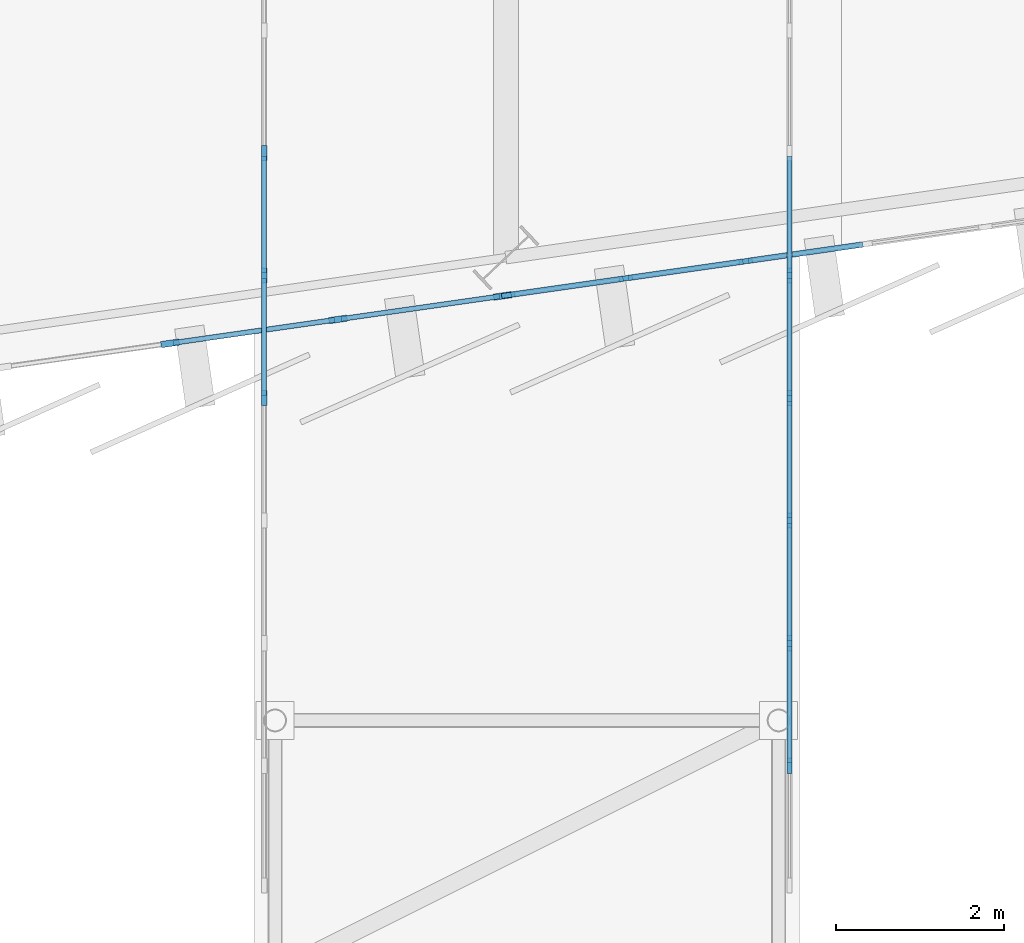
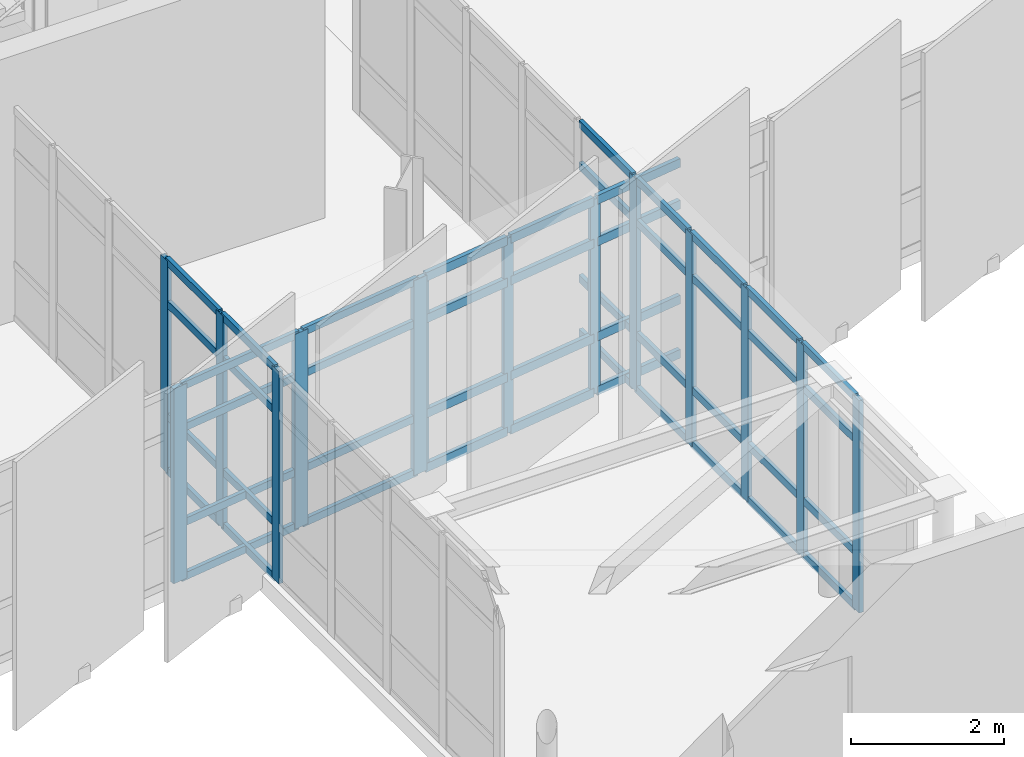
# One storey, part 41 of 125: 62 members, 4 elements without a shape of their own.
"""IFC4 building model written with IfcOpenShell, lengths in metres."""

from ifc_helpers import new_model, si_unit, direction, frame, origin, origin_2d, place, context, subcontext, project, spatial, rectangle, extrude, material, layer, layer_set, material_profile, profile_set, type_object, element, aggregate, save


model = new_model("IFC4")

# Units and contexts
model_context = context("Model", 3, precision=1e-05, world=origin(), true_north=direction((0.0, 1.0)))
body_context = subcontext(model_context, "Body", "Model", "MODEL_VIEW")
ifc_project = project(units=[si_unit("LENGTHUNIT", "METRE"), si_unit("AREAUNIT", "SQUARE_METRE"), si_unit("VOLUMEUNIT", "CUBIC_METRE"), si_unit("PLANEANGLEUNIT", "RADIAN"), si_unit("MASSUNIT", "GRAM", prefix="KILO")], contexts=[model_context])

# Site, building, storey
site_placement = place(None, origin())
site = spatial("IfcSite", under=ifc_project, at=site_placement, CompositionType="ELEMENT")
building_placement = place(site_placement, origin())
building = spatial("IfcBuilding", under=site, at=building_placement, Name="Sohan Crest Arena", CompositionType="ELEMENT")
storey_placement = place(building_placement, frame((0.0, 0.0, 9.0)))
storey = spatial("IfcBuildingStorey", under=building, at=storey_placement, Name="L02", CompositionType="ELEMENT", Elevation=9.0)

# Curtain wall, members
ifc_material = material(Name="Thermally broken anodised aluminium", Category="aluminium")
ifc_layer_1 = layer(ifc_material, 0.18994140625, Name="Thermally broken anodised aluminium")
ifc_layer_set_1 = layer_set([ifc_layer_1], Name="Thermally broken anodised aluminium")
curtain_wall_type_1 = type_object("IfcCurtainWallType", Name="ARC-CW05", PredefinedType="NOTDEFINED", material=ifc_layer_set_1)
curtain_wall_1_placement = place(storey_placement, origin())
curtain_wall_1 = element("IfcCurtainWall", 1, at=curtain_wall_1_placement, inside=storey, type_object=curtain_wall_type_1, Name="Unitised curtain wall CW-064", PredefinedType="NOTDEFINED")
ifc_material_profile_1 = material_profile(ifc_material, rectangle(XDim=0.06005859375, YDim=0.159912109375, at=origin_2d()), Name="ALU-MULL 60x160")
ifc_profile_set_1 = profile_set([ifc_material_profile_1], Name="Thermally broken anodised aluminium")
member_type_1 = type_object("IfcMemberType", Name="ARC-CW-ML01", PredefinedType="MULLION", material=ifc_profile_set_1)
member_1_placement = place(storey_placement, frame((138.02978515625, 35.268310546875, 0.0), z_axis=(0.0, 0.0, 1.0), x_axis=(-0.141462933734, 0.989943553128, 0.0)))
member_1 = element("IfcMember", 2, at=member_1_placement, type_object=member_type_1, Name="CW-064 mullion 1", PredefinedType="MULLION", context=body_context, shape_type="SweptSolid", body=[
    extrude(rectangle(XDim=0.06005859375, YDim=0.159912109375, at=origin_2d()), origin(), (0.0, 0.0, 1.0), 3.1201171875),
])
member_2_placement = place(storey_placement, frame((139.428466796875, 35.46826171875, 0.0), z_axis=(0.0, 0.0, 1.0), x_axis=(-0.141462933734, 0.989943553128, 0.0)))
member_2 = element("IfcMember", 3, at=member_2_placement, type_object=member_type_1, Name="CW-064 mullion 2", PredefinedType="MULLION", context=body_context, shape_type="SweptSolid", body=[
    extrude(rectangle(XDim=0.06005859375, YDim=0.159912109375, at=origin_2d()), origin(), (0.0, 0.0, 1.0), 3.1201171875),
])
member_3_placement = place(storey_placement, frame((140.857177734375, 35.67236328125, 0.0), z_axis=(0.0, 0.0, 1.0), x_axis=(-0.141462933734, 0.989943553128, 0.0)))
member_3 = element("IfcMember", 4, at=member_3_placement, type_object=member_type_1, Name="CW-064 mullion 3", PredefinedType="MULLION", context=body_context, shape_type="SweptSolid", body=[
    extrude(rectangle(XDim=0.06005859375, YDim=0.159912109375, at=origin_2d()), origin(), (0.0, 0.0, 1.0), 3.1201171875),
])

curtain_wall_2_placement = place(storey_placement, origin())
curtain_wall_2 = element("IfcCurtainWall", 5, at=curtain_wall_2_placement, inside=storey, type_object=curtain_wall_type_1, Name="Unitised curtain wall CW-257", PredefinedType="NOTDEFINED")
ifc_material_profile_2 = material_profile(ifc_material, rectangle(XDim=0.06494140625, YDim=0.179931640625, at=origin_2d()), Name="ALU-MULL 65x180")
ifc_profile_set_2 = profile_set([ifc_material_profile_2], Name="Thermally broken anodised aluminium")
member_type_2 = type_object("IfcMemberType", Name="ARC-CW-ML02", PredefinedType="MULLION", material=ifc_profile_set_2)
member_4_placement = place(storey_placement, frame((135.1201171875, 34.0400390625, 0.0), z_axis=(0.0, 0.0, 1.0), x_axis=(-1.0, 0.0, 0.0)))
member_4 = element("IfcMember", 6, at=member_4_placement, type_object=member_type_2, Name="CW-257 mullion 5", PredefinedType="MULLION", context=body_context, shape_type="SweptSolid", body=[
    extrude(rectangle(XDim=0.06494140625, YDim=0.179931640625, at=origin_2d()), origin(), (0.0, 0.0, 1.0), 3.39990234375),
])
member_5_placement = place(storey_placement, frame((135.1201171875, 35.5, 0.0), z_axis=(0.0, 0.0, 1.0), x_axis=(-1.0, 0.0, 0.0)))
member_5 = element("IfcMember", 7, at=member_5_placement, type_object=member_type_2, Name="CW-257 mullion 6", PredefinedType="MULLION", context=body_context, shape_type="SweptSolid", body=[
    extrude(rectangle(XDim=0.06494140625, YDim=0.179931640625, at=origin_2d()), origin(), (0.0, 0.0, 1.0), 3.39990234375),
])
member_6_placement = place(storey_placement, frame((135.1201171875, 36.9599609375, 0.0), z_axis=(0.0, 0.0, 1.0), x_axis=(-1.0, 0.0, 0.0)))
member_6 = element("IfcMember", 8, at=member_6_placement, type_object=member_type_2, Name="CW-257 mullion 7", PredefinedType="MULLION", context=body_context, shape_type="SweptSolid", body=[
    extrude(rectangle(XDim=0.06494140625, YDim=0.179931640625, at=origin_2d()), origin(), (0.0, 0.0, 1.0), 3.39990234375),
])

curtain_wall_3_placement = place(storey_placement, origin())
curtain_wall_3 = element("IfcCurtainWall", 9, at=curtain_wall_3_placement, inside=storey, type_object=curtain_wall_type_1, Name="Unitised curtain wall CW-258", PredefinedType="NOTDEFINED")
member_7_placement = place(storey_placement, frame((141.3798828125, 29.659912109375, 0.0), z_axis=(0.0, 0.0, 1.0), x_axis=(-1.0, 0.0, 0.0)))
member_7 = element("IfcMember", 10, at=member_7_placement, type_object=member_type_2, Name="CW-258 mullion 2", PredefinedType="MULLION", context=body_context, shape_type="SweptSolid", body=[
    extrude(rectangle(XDim=0.06494140625, YDim=0.179931640625, at=origin_2d()), origin(), (0.0, 0.0, 1.0), 3.39990234375),
])
member_8_placement = place(storey_placement, frame((141.3798828125, 31.1201171875, 0.0), z_axis=(0.0, 0.0, 1.0), x_axis=(-1.0, 0.0, 0.0)))
member_8 = element("IfcMember", 11, at=member_8_placement, type_object=member_type_2, Name="CW-258 mullion 3", PredefinedType="MULLION", context=body_context, shape_type="SweptSolid", body=[
    extrude(rectangle(XDim=0.06494140625, YDim=0.179931640625, at=origin_2d()), origin(), (0.0, 0.0, 1.0), 3.39990234375),
])
member_9_placement = place(storey_placement, frame((141.3798828125, 32.580078125, 0.0), z_axis=(0.0, 0.0, 1.0), x_axis=(-1.0, 0.0, 0.0)))
member_9 = element("IfcMember", 12, at=member_9_placement, type_object=member_type_2, Name="CW-258 mullion 4", PredefinedType="MULLION", context=body_context, shape_type="SweptSolid", body=[
    extrude(rectangle(XDim=0.06494140625, YDim=0.179931640625, at=origin_2d()), origin(), (0.0, 0.0, 1.0), 3.39990234375),
])
member_10_placement = place(storey_placement, frame((141.3798828125, 34.0400390625, 0.0), z_axis=(0.0, 0.0, 1.0), x_axis=(-1.0, 0.0, 0.0)))
member_10 = element("IfcMember", 13, at=member_10_placement, type_object=member_type_2, Name="CW-258 mullion 5", PredefinedType="MULLION", context=body_context, shape_type="SweptSolid", body=[
    extrude(rectangle(XDim=0.06494140625, YDim=0.179931640625, at=origin_2d()), origin(), (0.0, 0.0, 1.0), 3.39990234375),
])
member_11_placement = place(storey_placement, frame((141.3798828125, 35.5, 0.0), z_axis=(0.0, 0.0, 1.0), x_axis=(-1.0, 0.0, 0.0)))
member_11 = element("IfcMember", 14, at=member_11_placement, type_object=member_type_2, Name="CW-258 mullion 6", PredefinedType="MULLION", context=body_context, shape_type="SweptSolid", body=[
    extrude(rectangle(XDim=0.06494140625, YDim=0.179931640625, at=origin_2d()), origin(), (0.0, 0.0, 1.0), 3.39990234375),
])

ifc_layer_2 = layer(ifc_material, 0.239990234375, Name="Thermally broken anodised aluminium")
ifc_layer_set_2 = layer_set([ifc_layer_2], Name="Thermally broken anodised aluminium")
curtain_wall_type_2 = type_object("IfcCurtainWallType", Name="ARC-CW04", PredefinedType="NOTDEFINED", material=ifc_layer_set_2)
curtain_wall_4_placement = place(storey_placement, origin())
curtain_wall_4 = element("IfcCurtainWall", 15, at=curtain_wall_4_placement, inside=storey, type_object=curtain_wall_type_2, Name="Unitised curtain wall CW-063", PredefinedType="NOTDEFINED")
ifc_material_profile_3 = material_profile(ifc_material, rectangle(XDim=0.074951171875, YDim=0.219970703125, at=origin_2d()), Name="ALU-MULL 75x220")
ifc_profile_set_3 = profile_set([ifc_material_profile_3], Name="Thermally broken anodised aluminium")
member_type_3 = type_object("IfcMemberType", Name="ARC-CW-ML04", PredefinedType="MULLION", material=ifc_profile_set_3)
member_12_placement = place(storey_placement, frame((134.0, 34.69287109375, 0.0), z_axis=(0.0, 0.0, 1.0), x_axis=(-0.141365918403, 0.989957411768, 0.0)))
member_12 = element("IfcMember", 16, at=member_12_placement, type_object=member_type_3, Name="CW-063 mullion 4", PredefinedType="MULLION", context=body_context, shape_type="SweptSolid", body=[
    extrude(rectangle(XDim=0.074951171875, YDim=0.219970703125, at=origin_2d()), origin(), (0.0, 0.0, 1.0), 3.1201171875),
])
member_13_placement = place(storey_placement, frame((136.0, 34.978515625, 0.0), z_axis=(0.0, 0.0, 1.0), x_axis=(-0.141365918403, 0.989957411768, 0.0)))
member_13 = element("IfcMember", 17, at=member_13_placement, type_object=member_type_3, Name="CW-063 mullion 5", PredefinedType="MULLION", context=body_context, shape_type="SweptSolid", body=[
    extrude(rectangle(XDim=0.074951171875, YDim=0.219970703125, at=origin_2d()), origin(), (0.0, 0.0, 1.0), 3.1201171875),
])
member_14_placement = place(storey_placement, frame((137.962890625, 35.2587890625, 0.0), z_axis=(0.0, 0.0, 1.0), x_axis=(-0.141365918403, 0.989957411768, 0.0)))
member_14 = element("IfcMember", 18, at=member_14_placement, type_object=member_type_3, Name="CW-063 mullion 6", PredefinedType="MULLION", context=body_context, shape_type="SweptSolid", body=[
    extrude(rectangle(XDim=0.074951171875, YDim=0.219970703125, at=origin_2d()), origin(), (0.0, 0.0, 1.0), 3.1201171875),
])
ifc_material_profile_4 = material_profile(ifc_material, rectangle(XDim=0.06005859375, YDim=0.1201171875, at=origin_2d()), Name="ALU-TRAN 60x120")
ifc_profile_set_4 = profile_set([ifc_material_profile_4], Name="Thermally broken anodised aluminium")
member_type_4 = type_object("IfcMemberType", Name="ARC-CW-TR01", PredefinedType="USERDEFINED", material=ifc_profile_set_4)
member_15_placement = place(storey_placement, frame((134.037109375, 34.697998046875, 0.030029296875), z_axis=(0.989946983498, 0.141438926268, 0.0), x_axis=(-0.141438926268, 0.989946983498, 0.0)))
member_15 = element("IfcMember", 19, at=member_15_placement, type_object=member_type_4, Name="CW-063 transom 4.1", ObjectType="TRANSOM", PredefinedType="USERDEFINED", context=body_context, shape_type="SweptSolid", body=[
    extrude(rectangle(XDim=0.06005859375, YDim=0.1201171875, at=origin_2d()), origin(), (0.0, 0.0, 1.0), 1.9453125),
])
member_16_placement = place(storey_placement, frame((134.037109375, 34.697998046875, 0.89990234375), z_axis=(0.989946983498, 0.141438926268, 0.0), x_axis=(-0.141438926268, 0.989946983498, 0.0)))
member_16 = element("IfcMember", 20, at=member_16_placement, type_object=member_type_4, Name="CW-063 transom 4.2", ObjectType="TRANSOM", PredefinedType="USERDEFINED", context=body_context, shape_type="SweptSolid", body=[
    extrude(rectangle(XDim=0.06005859375, YDim=0.1201171875, at=origin_2d()), origin(), (0.0, 0.0, 1.0), 1.9453125),
])
member_17_placement = place(storey_placement, frame((134.037109375, 34.697998046875, 2.419921875), z_axis=(0.989946983498, 0.141438926268, 0.0), x_axis=(-0.141438926268, 0.989946983498, 0.0)))
member_17 = element("IfcMember", 21, at=member_17_placement, type_object=member_type_4, Name="CW-063 transom 4.3", ObjectType="TRANSOM", PredefinedType="USERDEFINED", context=body_context, shape_type="SweptSolid", body=[
    extrude(rectangle(XDim=0.06005859375, YDim=0.1201171875, at=origin_2d()), origin(), (0.0, 0.0, 1.0), 1.9453125),
])
member_18_placement = place(storey_placement, frame((134.037109375, 34.697998046875, 3.090087890625), z_axis=(0.989946983498, 0.141438926268, 0.0), x_axis=(-0.141438926268, 0.989946983498, 0.0)))
member_18 = element("IfcMember", 22, at=member_18_placement, type_object=member_type_4, Name="CW-063 transom 4.4", ObjectType="TRANSOM", PredefinedType="USERDEFINED", context=body_context, shape_type="SweptSolid", body=[
    extrude(rectangle(XDim=0.06005859375, YDim=0.1201171875, at=origin_2d()), origin(), (0.0, 0.0, 1.0), 1.9453125),
])
member_19_placement = place(storey_placement, frame((136.037109375, 34.983642578125, 0.030029296875), z_axis=(0.989952052837, 0.141403440846, 0.0), x_axis=(-0.141403440846, 0.989952052837, 0.0)))
member_19 = element("IfcMember", 23, at=member_19_placement, type_object=member_type_4, Name="CW-063 transom 5.1", ObjectType="TRANSOM", PredefinedType="USERDEFINED", context=body_context, shape_type="SweptSolid", body=[
    extrude(rectangle(XDim=0.06005859375, YDim=0.1201171875, at=origin_2d()), origin(), (0.0, 0.0, 1.0), 1.907958984375),
])
member_20_placement = place(storey_placement, frame((136.037109375, 34.983642578125, 0.89990234375), z_axis=(0.989952052837, 0.141403440846, 0.0), x_axis=(-0.141403440846, 0.989952052837, 0.0)))
member_20 = element("IfcMember", 24, at=member_20_placement, type_object=member_type_4, Name="CW-063 transom 5.2", ObjectType="TRANSOM", PredefinedType="USERDEFINED", context=body_context, shape_type="SweptSolid", body=[
    extrude(rectangle(XDim=0.06005859375, YDim=0.1201171875, at=origin_2d()), origin(), (0.0, 0.0, 1.0), 1.907958984375),
])
member_21_placement = place(storey_placement, frame((136.037109375, 34.983642578125, 2.419921875), z_axis=(0.989952052837, 0.141403440846, 0.0), x_axis=(-0.141403440846, 0.989952052837, 0.0)))
member_21 = element("IfcMember", 25, at=member_21_placement, type_object=member_type_4, Name="CW-063 transom 5.3", ObjectType="TRANSOM", PredefinedType="USERDEFINED", context=body_context, shape_type="SweptSolid", body=[
    extrude(rectangle(XDim=0.06005859375, YDim=0.1201171875, at=origin_2d()), origin(), (0.0, 0.0, 1.0), 1.907958984375),
])
member_22_placement = place(storey_placement, frame((136.037109375, 34.983642578125, 3.090087890625), z_axis=(0.989952052837, 0.141403440846, 0.0), x_axis=(-0.141403440846, 0.989952052837, 0.0)))
member_22 = element("IfcMember", 26, at=member_22_placement, type_object=member_type_4, Name="CW-063 transom 5.4", ObjectType="TRANSOM", PredefinedType="USERDEFINED", context=body_context, shape_type="SweptSolid", body=[
    extrude(rectangle(XDim=0.06005859375, YDim=0.1201171875, at=origin_2d()), origin(), (0.0, 0.0, 1.0), 1.907958984375),
])
aggregate(curtain_wall_4, [member_12, member_13, member_14, member_15, member_16, member_17, member_18, member_19, member_20, member_21, member_22])

# Member
member_23_placement = place(storey_placement, frame((135.1201171875, 34.072509765625, 0.030029296875), z_axis=(0.0, 1.0, 0.0), x_axis=(-1.0, 0.0, 0.0)))
member_23 = element("IfcMember", 27, at=member_23_placement, type_object=member_type_4, Name="CW-257 transom 5.1", ObjectType="TRANSOM", PredefinedType="USERDEFINED", context=body_context, shape_type="SweptSolid", body=[
    extrude(rectangle(XDim=0.06005859375, YDim=0.1201171875, at=origin_2d()), origin(), (0.0, 0.0, 1.0), 1.39501953125),
])

member_24_placement = place(storey_placement, frame((135.1201171875, 34.072509765625, 0.89990234375), z_axis=(0.0, 1.0, 0.0), x_axis=(-1.0, 0.0, 0.0)))
member_24 = element("IfcMember", 28, at=member_24_placement, type_object=member_type_4, Name="CW-257 transom 5.2", ObjectType="TRANSOM", PredefinedType="USERDEFINED", context=body_context, shape_type="SweptSolid", body=[
    extrude(rectangle(XDim=0.06005859375, YDim=0.1201171875, at=origin_2d()), origin(), (0.0, 0.0, 1.0), 1.39501953125),
])

member_25_placement = place(storey_placement, frame((135.1201171875, 34.072509765625, 2.699951171875), z_axis=(0.0, 1.0, 0.0), x_axis=(-1.0, 0.0, 0.0)))
member_25 = element("IfcMember", 29, at=member_25_placement, type_object=member_type_4, Name="CW-257 transom 5.3", ObjectType="TRANSOM", PredefinedType="USERDEFINED", context=body_context, shape_type="SweptSolid", body=[
    extrude(rectangle(XDim=0.06005859375, YDim=0.1201171875, at=origin_2d()), origin(), (0.0, 0.0, 1.0), 1.39501953125),
])

member_26_placement = place(storey_placement, frame((135.1201171875, 34.072509765625, 3.3701171875), z_axis=(0.0, 1.0, 0.0), x_axis=(-1.0, 0.0, 0.0)))
member_26 = element("IfcMember", 30, at=member_26_placement, type_object=member_type_4, Name="CW-257 transom 5.4", ObjectType="TRANSOM", PredefinedType="USERDEFINED", context=body_context, shape_type="SweptSolid", body=[
    extrude(rectangle(XDim=0.06005859375, YDim=0.1201171875, at=origin_2d()), origin(), (0.0, 0.0, 1.0), 1.39501953125),
])

member_27_placement = place(storey_placement, frame((135.1201171875, 35.532470703125, 0.030029296875), z_axis=(0.0, 1.0, 0.0), x_axis=(-1.0, 0.0, 0.0)))
member_27 = element("IfcMember", 31, at=member_27_placement, type_object=member_type_4, Name="CW-257 transom 6.1", ObjectType="TRANSOM", PredefinedType="USERDEFINED", context=body_context, shape_type="SweptSolid", body=[
    extrude(rectangle(XDim=0.06005859375, YDim=0.1201171875, at=origin_2d()), origin(), (0.0, 0.0, 1.0), 1.39501953125),
])

member_28_placement = place(storey_placement, frame((135.1201171875, 35.532470703125, 0.89990234375), z_axis=(0.0, 1.0, 0.0), x_axis=(-1.0, 0.0, 0.0)))
member_28 = element("IfcMember", 32, at=member_28_placement, type_object=member_type_4, Name="CW-257 transom 6.2", ObjectType="TRANSOM", PredefinedType="USERDEFINED", context=body_context, shape_type="SweptSolid", body=[
    extrude(rectangle(XDim=0.06005859375, YDim=0.1201171875, at=origin_2d()), origin(), (0.0, 0.0, 1.0), 1.39501953125),
])

member_29_placement = place(storey_placement, frame((135.1201171875, 35.532470703125, 2.699951171875), z_axis=(0.0, 1.0, 0.0), x_axis=(-1.0, 0.0, 0.0)))
member_29 = element("IfcMember", 33, at=member_29_placement, type_object=member_type_4, Name="CW-257 transom 6.3", ObjectType="TRANSOM", PredefinedType="USERDEFINED", context=body_context, shape_type="SweptSolid", body=[
    extrude(rectangle(XDim=0.06005859375, YDim=0.1201171875, at=origin_2d()), origin(), (0.0, 0.0, 1.0), 1.39501953125),
])

member_30_placement = place(storey_placement, frame((135.1201171875, 35.532470703125, 3.3701171875), z_axis=(0.0, 1.0, 0.0), x_axis=(-1.0, 0.0, 0.0)))
member_30 = element("IfcMember", 34, at=member_30_placement, type_object=member_type_4, Name="CW-257 transom 6.4", ObjectType="TRANSOM", PredefinedType="USERDEFINED", context=body_context, shape_type="SweptSolid", body=[
    extrude(rectangle(XDim=0.06005859375, YDim=0.1201171875, at=origin_2d()), origin(), (0.0, 0.0, 1.0), 1.39501953125),
])

aggregate(curtain_wall_2, [member_4, member_5, member_6, member_23, member_24, member_25, member_26, member_27, member_28, member_29, member_30])

member_31_placement = place(storey_placement, frame((141.3798828125, 29.6923828125, 0.030029296875), z_axis=(0.0, 1.0, 0.0), x_axis=(-1.0, 0.0, 0.0)))
member_31 = element("IfcMember", 35, at=member_31_placement, type_object=member_type_4, Name="CW-258 transom 2.1", ObjectType="TRANSOM", PredefinedType="USERDEFINED", context=body_context, shape_type="SweptSolid", body=[
    extrude(rectangle(XDim=0.06005859375, YDim=0.1201171875, at=origin_2d()), origin(), (0.0, 0.0, 1.0), 1.39501953125),
])

member_32_placement = place(storey_placement, frame((141.3798828125, 29.6923828125, 0.89990234375), z_axis=(0.0, 1.0, 0.0), x_axis=(-1.0, 0.0, 0.0)))
member_32 = element("IfcMember", 36, at=member_32_placement, type_object=member_type_4, Name="CW-258 transom 2.2", ObjectType="TRANSOM", PredefinedType="USERDEFINED", context=body_context, shape_type="SweptSolid", body=[
    extrude(rectangle(XDim=0.06005859375, YDim=0.1201171875, at=origin_2d()), origin(), (0.0, 0.0, 1.0), 1.39501953125),
])

member_33_placement = place(storey_placement, frame((141.3798828125, 29.6923828125, 2.699951171875), z_axis=(0.0, 1.0, 0.0), x_axis=(-1.0, 0.0, 0.0)))
member_33 = element("IfcMember", 37, at=member_33_placement, type_object=member_type_4, Name="CW-258 transom 2.3", ObjectType="TRANSOM", PredefinedType="USERDEFINED", context=body_context, shape_type="SweptSolid", body=[
    extrude(rectangle(XDim=0.06005859375, YDim=0.1201171875, at=origin_2d()), origin(), (0.0, 0.0, 1.0), 1.39501953125),
])

member_34_placement = place(storey_placement, frame((141.3798828125, 29.6923828125, 3.3701171875), z_axis=(0.0, 1.0, 0.0), x_axis=(-1.0, 0.0, 0.0)))
member_34 = element("IfcMember", 38, at=member_34_placement, type_object=member_type_4, Name="CW-258 transom 2.4", ObjectType="TRANSOM", PredefinedType="USERDEFINED", context=body_context, shape_type="SweptSolid", body=[
    extrude(rectangle(XDim=0.06005859375, YDim=0.1201171875, at=origin_2d()), origin(), (0.0, 0.0, 1.0), 1.39501953125),
])

member_35_placement = place(storey_placement, frame((141.3798828125, 31.152587890625, 0.030029296875), z_axis=(0.0, 1.0, 0.0), x_axis=(-1.0, 0.0, 0.0)))
member_35 = element("IfcMember", 39, at=member_35_placement, type_object=member_type_4, Name="CW-258 transom 3.1", ObjectType="TRANSOM", PredefinedType="USERDEFINED", context=body_context, shape_type="SweptSolid", body=[
    extrude(rectangle(XDim=0.06005859375, YDim=0.1201171875, at=origin_2d()), origin(), (0.0, 0.0, 1.0), 1.39501953125),
])

member_36_placement = place(storey_placement, frame((141.3798828125, 31.152587890625, 0.89990234375), z_axis=(0.0, 1.0, 0.0), x_axis=(-1.0, 0.0, 0.0)))
member_36 = element("IfcMember", 40, at=member_36_placement, type_object=member_type_4, Name="CW-258 transom 3.2", ObjectType="TRANSOM", PredefinedType="USERDEFINED", context=body_context, shape_type="SweptSolid", body=[
    extrude(rectangle(XDim=0.06005859375, YDim=0.1201171875, at=origin_2d()), origin(), (0.0, 0.0, 1.0), 1.39501953125),
])

member_37_placement = place(storey_placement, frame((141.3798828125, 31.152587890625, 2.699951171875), z_axis=(0.0, 1.0, 0.0), x_axis=(-1.0, 0.0, 0.0)))
member_37 = element("IfcMember", 41, at=member_37_placement, type_object=member_type_4, Name="CW-258 transom 3.3", ObjectType="TRANSOM", PredefinedType="USERDEFINED", context=body_context, shape_type="SweptSolid", body=[
    extrude(rectangle(XDim=0.06005859375, YDim=0.1201171875, at=origin_2d()), origin(), (0.0, 0.0, 1.0), 1.39501953125),
])

member_38_placement = place(storey_placement, frame((141.3798828125, 31.152587890625, 3.3701171875), z_axis=(0.0, 1.0, 0.0), x_axis=(-1.0, 0.0, 0.0)))
member_38 = element("IfcMember", 42, at=member_38_placement, type_object=member_type_4, Name="CW-258 transom 3.4", ObjectType="TRANSOM", PredefinedType="USERDEFINED", context=body_context, shape_type="SweptSolid", body=[
    extrude(rectangle(XDim=0.06005859375, YDim=0.1201171875, at=origin_2d()), origin(), (0.0, 0.0, 1.0), 1.39501953125),
])

member_39_placement = place(storey_placement, frame((141.3798828125, 32.612548828125, 0.030029296875), z_axis=(0.0, 1.0, 0.0), x_axis=(-1.0, 0.0, 0.0)))
member_39 = element("IfcMember", 43, at=member_39_placement, type_object=member_type_4, Name="CW-258 transom 4.1", ObjectType="TRANSOM", PredefinedType="USERDEFINED", context=body_context, shape_type="SweptSolid", body=[
    extrude(rectangle(XDim=0.06005859375, YDim=0.1201171875, at=origin_2d()), origin(), (0.0, 0.0, 1.0), 1.39501953125),
])

member_40_placement = place(storey_placement, frame((141.3798828125, 32.612548828125, 0.89990234375), z_axis=(0.0, 1.0, 0.0), x_axis=(-1.0, 0.0, 0.0)))
member_40 = element("IfcMember", 44, at=member_40_placement, type_object=member_type_4, Name="CW-258 transom 4.2", ObjectType="TRANSOM", PredefinedType="USERDEFINED", context=body_context, shape_type="SweptSolid", body=[
    extrude(rectangle(XDim=0.06005859375, YDim=0.1201171875, at=origin_2d()), origin(), (0.0, 0.0, 1.0), 1.39501953125),
])

member_41_placement = place(storey_placement, frame((141.3798828125, 32.612548828125, 2.699951171875), z_axis=(0.0, 1.0, 0.0), x_axis=(-1.0, 0.0, 0.0)))
member_41 = element("IfcMember", 45, at=member_41_placement, type_object=member_type_4, Name="CW-258 transom 4.3", ObjectType="TRANSOM", PredefinedType="USERDEFINED", context=body_context, shape_type="SweptSolid", body=[
    extrude(rectangle(XDim=0.06005859375, YDim=0.1201171875, at=origin_2d()), origin(), (0.0, 0.0, 1.0), 1.39501953125),
])

member_42_placement = place(storey_placement, frame((141.3798828125, 32.612548828125, 3.3701171875), z_axis=(0.0, 1.0, 0.0), x_axis=(-1.0, 0.0, 0.0)))
member_42 = element("IfcMember", 46, at=member_42_placement, type_object=member_type_4, Name="CW-258 transom 4.4", ObjectType="TRANSOM", PredefinedType="USERDEFINED", context=body_context, shape_type="SweptSolid", body=[
    extrude(rectangle(XDim=0.06005859375, YDim=0.1201171875, at=origin_2d()), origin(), (0.0, 0.0, 1.0), 1.39501953125),
])

member_43_placement = place(storey_placement, frame((141.3798828125, 34.072509765625, 0.030029296875), z_axis=(0.0, 1.0, 0.0), x_axis=(-1.0, 0.0, 0.0)))
member_43 = element("IfcMember", 47, at=member_43_placement, type_object=member_type_4, Name="CW-258 transom 5.1", ObjectType="TRANSOM", PredefinedType="USERDEFINED", context=body_context, shape_type="SweptSolid", body=[
    extrude(rectangle(XDim=0.06005859375, YDim=0.1201171875, at=origin_2d()), origin(), (0.0, 0.0, 1.0), 1.39501953125),
])

member_44_placement = place(storey_placement, frame((141.3798828125, 34.072509765625, 0.89990234375), z_axis=(0.0, 1.0, 0.0), x_axis=(-1.0, 0.0, 0.0)))
member_44 = element("IfcMember", 48, at=member_44_placement, type_object=member_type_4, Name="CW-258 transom 5.2", ObjectType="TRANSOM", PredefinedType="USERDEFINED", context=body_context, shape_type="SweptSolid", body=[
    extrude(rectangle(XDim=0.06005859375, YDim=0.1201171875, at=origin_2d()), origin(), (0.0, 0.0, 1.0), 1.39501953125),
])

member_45_placement = place(storey_placement, frame((141.3798828125, 34.072509765625, 2.699951171875), z_axis=(0.0, 1.0, 0.0), x_axis=(-1.0, 0.0, 0.0)))
member_45 = element("IfcMember", 49, at=member_45_placement, type_object=member_type_4, Name="CW-258 transom 5.3", ObjectType="TRANSOM", PredefinedType="USERDEFINED", context=body_context, shape_type="SweptSolid", body=[
    extrude(rectangle(XDim=0.06005859375, YDim=0.1201171875, at=origin_2d()), origin(), (0.0, 0.0, 1.0), 1.39501953125),
])

member_46_placement = place(storey_placement, frame((141.3798828125, 34.072509765625, 3.3701171875), z_axis=(0.0, 1.0, 0.0), x_axis=(-1.0, 0.0, 0.0)))
member_46 = element("IfcMember", 50, at=member_46_placement, type_object=member_type_4, Name="CW-258 transom 5.4", ObjectType="TRANSOM", PredefinedType="USERDEFINED", context=body_context, shape_type="SweptSolid", body=[
    extrude(rectangle(XDim=0.06005859375, YDim=0.1201171875, at=origin_2d()), origin(), (0.0, 0.0, 1.0), 1.39501953125),
])

member_47_placement = place(storey_placement, frame((141.3798828125, 35.532470703125, 0.030029296875), z_axis=(0.0, 1.0, 0.0), x_axis=(-1.0, 0.0, 0.0)))
member_47 = element("IfcMember", 51, at=member_47_placement, type_object=member_type_4, Name="CW-258 transom 6.1", ObjectType="TRANSOM", PredefinedType="USERDEFINED", context=body_context, shape_type="SweptSolid", body=[
    extrude(rectangle(XDim=0.06005859375, YDim=0.1201171875, at=origin_2d()), origin(), (0.0, 0.0, 1.0), 1.39501953125),
])

member_48_placement = place(storey_placement, frame((141.3798828125, 35.532470703125, 0.89990234375), z_axis=(0.0, 1.0, 0.0), x_axis=(-1.0, 0.0, 0.0)))
member_48 = element("IfcMember", 52, at=member_48_placement, type_object=member_type_4, Name="CW-258 transom 6.2", ObjectType="TRANSOM", PredefinedType="USERDEFINED", context=body_context, shape_type="SweptSolid", body=[
    extrude(rectangle(XDim=0.06005859375, YDim=0.1201171875, at=origin_2d()), origin(), (0.0, 0.0, 1.0), 1.39501953125),
])

member_49_placement = place(storey_placement, frame((141.3798828125, 35.532470703125, 2.699951171875), z_axis=(0.0, 1.0, 0.0), x_axis=(-1.0, 0.0, 0.0)))
member_49 = element("IfcMember", 53, at=member_49_placement, type_object=member_type_4, Name="CW-258 transom 6.3", ObjectType="TRANSOM", PredefinedType="USERDEFINED", context=body_context, shape_type="SweptSolid", body=[
    extrude(rectangle(XDim=0.06005859375, YDim=0.1201171875, at=origin_2d()), origin(), (0.0, 0.0, 1.0), 1.39501953125),
])

member_50_placement = place(storey_placement, frame((141.3798828125, 35.532470703125, 3.3701171875), z_axis=(0.0, 1.0, 0.0), x_axis=(-1.0, 0.0, 0.0)))
member_50 = element("IfcMember", 54, at=member_50_placement, type_object=member_type_4, Name="CW-258 transom 6.4", ObjectType="TRANSOM", PredefinedType="USERDEFINED", context=body_context, shape_type="SweptSolid", body=[
    extrude(rectangle(XDim=0.06005859375, YDim=0.1201171875, at=origin_2d()), origin(), (0.0, 0.0, 1.0), 1.39501953125),
])

aggregate(curtain_wall_3, [member_7, member_8, member_9, member_10, member_11, member_31, member_32, member_33, member_34, member_35, member_36, member_37, member_38, member_39, member_40, member_41, member_42, member_43, member_44, member_45, member_46, member_47, member_48, member_49, member_50])

ifc_material_profile_5 = material_profile(ifc_material, rectangle(XDim=0.06494140625, YDim=0.139892578125, at=origin_2d()), Name="ALU-TRAN 65x140")
ifc_profile_set_5 = profile_set([ifc_material_profile_5], Name="Thermally broken anodised aluminium")
member_type_5 = type_object("IfcMemberType", Name="ARC-CW-TR02", PredefinedType="USERDEFINED", material=ifc_profile_set_5)
member_51_placement = place(storey_placement, frame((138.059326171875, 35.2724609375, 0.032470703125), z_axis=(0.989945885007, 0.141446614515, 0.0), x_axis=(-0.141446614515, 0.989945885007, 0.0)))
member_51 = element("IfcMember", 55, at=member_51_placement, type_object=member_type_5, Name="CW-064 transom 1.1", ObjectType="TRANSOM", PredefinedType="USERDEFINED", context=body_context, shape_type="SweptSolid", body=[
    extrude(rectangle(XDim=0.06494140625, YDim=0.139892578125, at=origin_2d()), origin(), (0.0, 0.0, 1.0), 1.353271484375),
])

member_52_placement = place(storey_placement, frame((138.059326171875, 35.2724609375, 0.89990234375), z_axis=(0.989945885007, 0.141446614515, 0.0), x_axis=(-0.141446614515, 0.989945885007, 0.0)))
member_52 = element("IfcMember", 56, at=member_52_placement, type_object=member_type_5, Name="CW-064 transom 1.2", ObjectType="TRANSOM", PredefinedType="USERDEFINED", context=body_context, shape_type="SweptSolid", body=[
    extrude(rectangle(XDim=0.06494140625, YDim=0.139892578125, at=origin_2d()), origin(), (0.0, 0.0, 1.0), 1.353271484375),
])

member_53_placement = place(storey_placement, frame((138.059326171875, 35.2724609375, 2.419921875), z_axis=(0.989945885007, 0.141446614515, 0.0), x_axis=(-0.141446614515, 0.989945885007, 0.0)))
member_53 = element("IfcMember", 57, at=member_53_placement, type_object=member_type_5, Name="CW-064 transom 1.3", ObjectType="TRANSOM", PredefinedType="USERDEFINED", context=body_context, shape_type="SweptSolid", body=[
    extrude(rectangle(XDim=0.06494140625, YDim=0.139892578125, at=origin_2d()), origin(), (0.0, 0.0, 1.0), 1.353271484375),
])

member_54_placement = place(storey_placement, frame((138.059326171875, 35.2724609375, 3.08740234375), z_axis=(0.989945885007, 0.141446614515, 0.0), x_axis=(-0.141446614515, 0.989945885007, 0.0)))
member_54 = element("IfcMember", 58, at=member_54_placement, type_object=member_type_5, Name="CW-064 transom 1.4", ObjectType="TRANSOM", PredefinedType="USERDEFINED", context=body_context, shape_type="SweptSolid", body=[
    extrude(rectangle(XDim=0.06494140625, YDim=0.139892578125, at=origin_2d()), origin(), (0.0, 0.0, 1.0), 1.353271484375),
])

member_55_placement = place(storey_placement, frame((139.458251953125, 35.472412109375, 0.032470703125), z_axis=(0.989953023856, 0.141396642673, 0.0), x_axis=(-0.141396642673, 0.989953023856, 0.0)))
member_55 = element("IfcMember", 59, at=member_55_placement, type_object=member_type_5, Name="CW-064 transom 2.1", ObjectType="TRANSOM", PredefinedType="USERDEFINED", context=body_context, shape_type="SweptSolid", body=[
    extrude(rectangle(XDim=0.06494140625, YDim=0.139892578125, at=origin_2d()), origin(), (0.0, 0.0, 1.0), 1.383056640625),
])

member_56_placement = place(storey_placement, frame((139.458251953125, 35.472412109375, 0.89990234375), z_axis=(0.989953023856, 0.141396642673, 0.0), x_axis=(-0.141396642673, 0.989953023856, 0.0)))
member_56 = element("IfcMember", 60, at=member_56_placement, type_object=member_type_5, Name="CW-064 transom 2.2", ObjectType="TRANSOM", PredefinedType="USERDEFINED", context=body_context, shape_type="SweptSolid", body=[
    extrude(rectangle(XDim=0.06494140625, YDim=0.139892578125, at=origin_2d()), origin(), (0.0, 0.0, 1.0), 1.383056640625),
])

member_57_placement = place(storey_placement, frame((139.458251953125, 35.472412109375, 2.419921875), z_axis=(0.989953023856, 0.141396642673, 0.0), x_axis=(-0.141396642673, 0.989953023856, 0.0)))
member_57 = element("IfcMember", 61, at=member_57_placement, type_object=member_type_5, Name="CW-064 transom 2.3", ObjectType="TRANSOM", PredefinedType="USERDEFINED", context=body_context, shape_type="SweptSolid", body=[
    extrude(rectangle(XDim=0.06494140625, YDim=0.139892578125, at=origin_2d()), origin(), (0.0, 0.0, 1.0), 1.383056640625),
])

member_58_placement = place(storey_placement, frame((139.458251953125, 35.472412109375, 3.08740234375), z_axis=(0.989953023856, 0.141396642673, 0.0), x_axis=(-0.141396642673, 0.989953023856, 0.0)))
member_58 = element("IfcMember", 62, at=member_58_placement, type_object=member_type_5, Name="CW-064 transom 2.4", ObjectType="TRANSOM", PredefinedType="USERDEFINED", context=body_context, shape_type="SweptSolid", body=[
    extrude(rectangle(XDim=0.06494140625, YDim=0.139892578125, at=origin_2d()), origin(), (0.0, 0.0, 1.0), 1.383056640625),
])

member_59_placement = place(storey_placement, frame((140.886962890625, 35.676513671875, 0.032470703125), z_axis=(0.989953023856, 0.141396642673, 0.0), x_axis=(-0.141396642673, 0.989953023856, 0.0)))
member_59 = element("IfcMember", 63, at=member_59_placement, type_object=member_type_5, Name="CW-064 transom 3.1", ObjectType="TRANSOM", PredefinedType="USERDEFINED", context=body_context, shape_type="SweptSolid", body=[
    extrude(rectangle(XDim=0.06494140625, YDim=0.139892578125, at=origin_2d()), origin(), (0.0, 0.0, 1.0), 1.383056640625),
])

member_60_placement = place(storey_placement, frame((140.886962890625, 35.676513671875, 0.89990234375), z_axis=(0.989953023856, 0.141396642673, 0.0), x_axis=(-0.141396642673, 0.989953023856, 0.0)))
member_60 = element("IfcMember", 64, at=member_60_placement, type_object=member_type_5, Name="CW-064 transom 3.2", ObjectType="TRANSOM", PredefinedType="USERDEFINED", context=body_context, shape_type="SweptSolid", body=[
    extrude(rectangle(XDim=0.06494140625, YDim=0.139892578125, at=origin_2d()), origin(), (0.0, 0.0, 1.0), 1.383056640625),
])

member_61_placement = place(storey_placement, frame((140.886962890625, 35.676513671875, 2.419921875), z_axis=(0.989953023856, 0.141396642673, 0.0), x_axis=(-0.141396642673, 0.989953023856, 0.0)))
member_61 = element("IfcMember", 65, at=member_61_placement, type_object=member_type_5, Name="CW-064 transom 3.3", ObjectType="TRANSOM", PredefinedType="USERDEFINED", context=body_context, shape_type="SweptSolid", body=[
    extrude(rectangle(XDim=0.06494140625, YDim=0.139892578125, at=origin_2d()), origin(), (0.0, 0.0, 1.0), 1.383056640625),
])

member_62_placement = place(storey_placement, frame((140.886962890625, 35.676513671875, 3.08740234375), z_axis=(0.989953023856, 0.141396642673, 0.0), x_axis=(-0.141396642673, 0.989953023856, 0.0)))
member_62 = element("IfcMember", 66, at=member_62_placement, type_object=member_type_5, Name="CW-064 transom 3.4", ObjectType="TRANSOM", PredefinedType="USERDEFINED", context=body_context, shape_type="SweptSolid", body=[
    extrude(rectangle(XDim=0.06494140625, YDim=0.139892578125, at=origin_2d()), origin(), (0.0, 0.0, 1.0), 1.383056640625),
])

aggregate(curtain_wall_1, [member_1, member_2, member_3, member_51, member_52, member_53, member_54, member_55, member_56, member_57, member_58, member_59, member_60, member_61, member_62])

save(model, "model.ifc")
